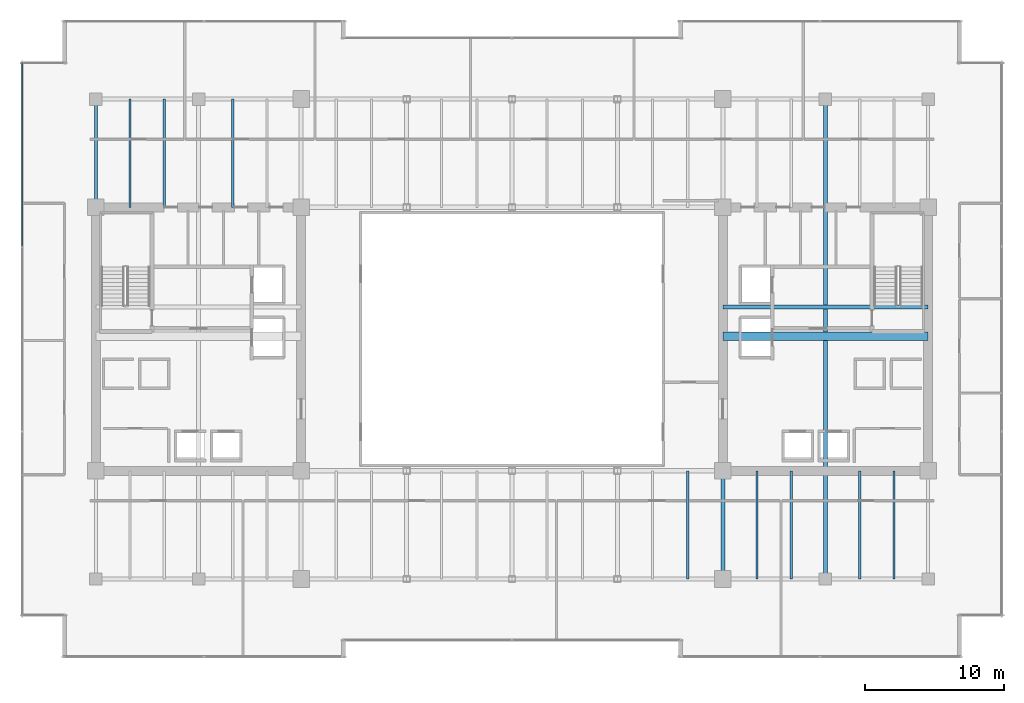
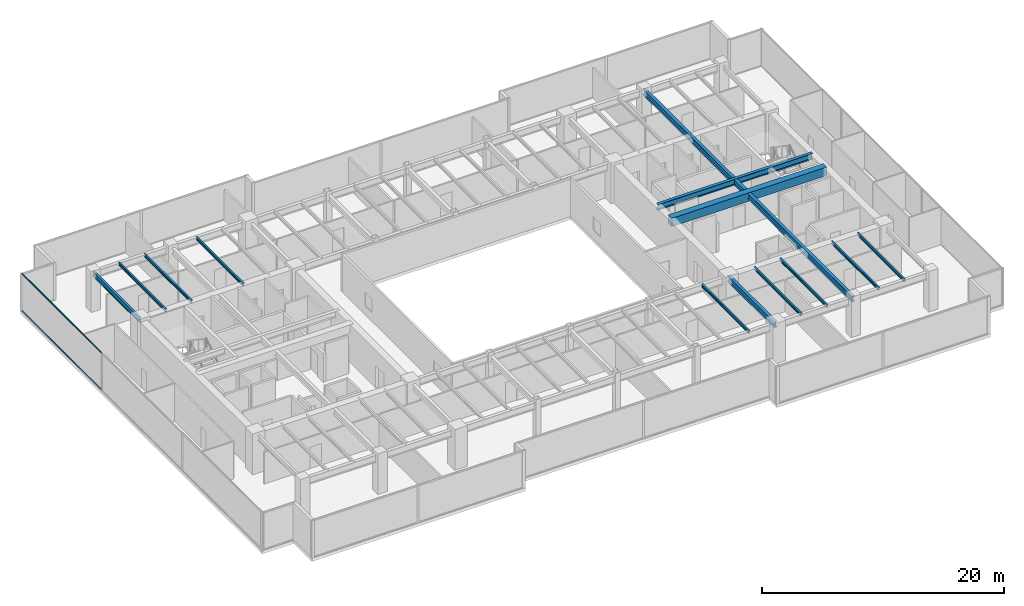
# One storey, part 13 of 30: 13 beams, 2 members, 1 element without a shape of its own.
"""IFC4 building model written with IfcOpenShell, lengths in metres."""

from ifc_helpers import new_model, si_unit, direction, frame, origin, origin_2d, place, context, subcontext, project, spatial, rectangle, hollow_rectangle, i_section, extrude, source, transform, mapped, material, layer, layer_set, material_profile, profile_set, type_object, type_shapes, element, aggregate, save


model = new_model("IFC4")

# Units and contexts
model_context = context("Model", 3, precision=1e-05, world=origin(), true_north=direction((0.0, 1.0)))
body_context = subcontext(model_context, "Body", "Model", "MODEL_VIEW")
ifc_project = project(units=[si_unit("LENGTHUNIT", "METRE"), si_unit("AREAUNIT", "SQUARE_METRE"), si_unit("VOLUMEUNIT", "CUBIC_METRE"), si_unit("PLANEANGLEUNIT", "RADIAN"), si_unit("MASSUNIT", "GRAM", prefix="KILO")], contexts=[model_context])

# Site, building, storey
site_placement = place(None, origin())
site = spatial("IfcSite", under=ifc_project, at=site_placement, CompositionType="ELEMENT")
building_placement = place(site_placement, origin())
building = spatial("IfcBuilding", under=site, at=building_placement, Name="Haelvirn Gate Laboratories", CompositionType="ELEMENT")
storey_placement = place(building_placement, frame((0.0, 0.0, 170.699951171875)))
storey = spatial("IfcBuildingStorey", under=building, at=storey_placement, Name="L41", CompositionType="ELEMENT", Elevation=170.699951171875)

# Beams
ifc_material_1 = material(Name="Steel SM355", Category="steel")
ifc_material_profile_1 = material_profile(ifc_material_1, i_section(OverallWidth=0.300048828125, OverallDepth=0.587890625, WebThickness=0.011962890625, FlangeThickness=0.02001953125, at=origin_2d()), Name="H-588x300x12x20")
ifc_profile_set_1 = profile_set([ifc_material_profile_1], Name="Steel SM355")
beam_type_1 = type_object("IfcBeamType", Name="BM-G-588", PredefinedType="BEAM", material=ifc_profile_set_1)
shared_shape_1 = source(origin(), body_context, "Body", "SweptSolid", [
    extrude(i_section(OverallWidth=0.300048828125, OverallDepth=0.587890625, WebThickness=0.011962890625, FlangeThickness=0.02001953125, at=origin_2d()), origin(), (0.0, 0.0, 1.0), 14.7998046875),
])
beam_1_placement = place(storey_placement, frame((52.60009765625, 26.6201171875, 3.49609375), z_axis=(1.0, 0.0, 0.0), x_axis=(0.0, 1.0, 0.0)))
element("IfcBeam", 1, at=beam_1_placement, inside=storey, type_object=beam_type_1, Name="L41 Stair ST2 Landing Header", PredefinedType="BEAM", context=body_context, shape_type="MappedRepresentation", body=[
    mapped(shared_shape_1, transform((0.0, 0.0, 0.0), scale=1.0)),
])
ifc_material_profile_2 = material_profile(ifc_material_1, i_section(OverallWidth=0.199951171875, OverallDepth=0.5, WebThickness=0.010009765625, FlangeThickness=0.01611328125, at=origin_2d()), Name="H-500x200x10x16")
ifc_profile_set_2 = profile_set([ifc_material_profile_2], Name="Steel SM355")
beam_type_2 = type_object("IfcBeamType", Name="BM-SP-500", PredefinedType="SPANDREL", material=ifc_profile_set_2)
shared_shape_2 = source(origin(), body_context, "Body", "SweptSolid", [
    extrude(i_section(OverallWidth=0.199951171875, OverallDepth=0.5, WebThickness=0.010009765625, FlangeThickness=0.01611328125, at=origin_2d()), origin(), (0.0, 0.0, 1.0), 7.800048828125),
])
type_shapes(beam_type_2, [shared_shape_2])
beam_2_placement = place(storey_placement, frame((7.39990234375, 33.800048828125, 3.5400390625), z_axis=(0.0, 1.0, 0.0), x_axis=(-1.0, 0.0, 0.0)))
element("IfcBeam", 2, at=beam_2_placement, inside=storey, type_object=beam_type_2, Name="L41 Perimeter Spandrel X7.4 (33.8-41.6)", PredefinedType="SPANDREL", context=body_context, shape_type="MappedRepresentation", body=[
    mapped(shared_shape_2, transform((0.0, 0.0, 0.0), scale=1.0)),
])
ifc_material_profile_3 = material_profile(ifc_material_1, i_section(OverallWidth=0.14990234375, OverallDepth=0.300048828125, WebThickness=0.006591796875, FlangeThickness=0.009033203125, at=origin_2d()), Name="H-300x150x6.5x9")
ifc_profile_set_3 = profile_set([ifc_material_profile_3], Name="Steel SM355")
beam_type_3 = type_object("IfcBeamType", Name="BM-J-300", PredefinedType="JOIST", material=ifc_profile_set_3)
shared_shape_3 = source(origin(), body_context, "Body", "SweptSolid", [
    extrude(i_section(OverallWidth=0.14990234375, OverallDepth=0.300048828125, WebThickness=0.006591796875, FlangeThickness=0.009033203125, at=origin_2d()), origin(), (0.0, 0.0, 1.0), 7.800048828125),
])
type_shapes(beam_type_3, [shared_shape_3])
for number, where, z_axis, x_axis, name in (
    (3, (9.8701171875, 33.800048828125, 3.64013671875), (0.0, 1.0, 0.0), (-1.0, 0.0, 0.0), "L41 Composite Lab Joist North X9.87"),
    (4, (12.330078125, 33.800048828125, 3.64013671875), (0.0, 1.0, 0.0), (-1.0, 0.0, 0.0), "L41 Composite Lab Joist North X12.33"),
    (5, (17.27001953125, 33.800048828125, 3.64013671875), (0.0, 1.0, 0.0), (-1.0, 0.0, 0.0), "L41 Composite Lab Joist North X17.27"),
    (6, (50.070068359375, 7.0, 3.64013671875), (0.0, 1.0, 0.0), (-1.0, 0.0, 0.0), "L41 Composite Lab Joist South X50.07"),
    (7, (55.070068359375, 7.0, 3.64013671875), (0.0, 1.0, 0.0), (-1.0, 0.0, 0.0), "L41 Composite Lab Joist South X55.07"),
    (8, (57.530029296875, 7.0, 3.64013671875), (0.0, 1.0, 0.0), (-1.0, 0.0, 0.0), "L41 Composite Lab Joist South X57.53"),
    (9, (62.469970703125, 7.0, 3.64013671875), (0.0, 1.0, 0.0), (-1.0, 0.0, 0.0), "L41 Composite Lab Joist South X62.47"),
    (10, (64.929931640625, 7.0, 3.64013671875), (0.0, 1.0, 0.0), (-1.0, 0.0, 0.0), "L41 Composite Lab Joist South X64.93"),
):
    element("IfcBeam", number, at=place(storey_placement, frame(where, z_axis=z_axis, x_axis=x_axis)), inside=storey, type_object=beam_type_3, Name=name, PredefinedType="JOIST", context=body_context, shape_type="MappedRepresentation", body=[
        mapped(shared_shape_3, transform((0.0, 0.0, 0.0), scale=1.0)),
    ])
shared_shape_4 = source(origin(), body_context, "Body", "SweptSolid", [
    extrude(i_section(OverallWidth=0.300048828125, OverallDepth=0.587890625, WebThickness=0.011962890625, FlangeThickness=0.02001953125, at=origin_2d()), origin(), (0.0, 0.0, 1.0), 34.60009765625),
])
beam_3_placement = place(storey_placement, frame((60.0, 7.0, 3.49609375), z_axis=(0.0, 1.0, 0.0), x_axis=(-1.0, 0.0, 0.0)))
element("IfcBeam", 11, at=beam_3_placement, inside=storey, type_object=beam_type_1, Name="L41 Frame Girder X60.0 (7.0-41.6)", PredefinedType="BEAM", context=body_context, shape_type="MappedRepresentation", body=[
    mapped(shared_shape_4, transform((0.0, 0.0, 0.0), scale=1.0)),
])
shared_shape_5 = source(origin(), body_context, "Body", "SweptSolid", [
    extrude(i_section(OverallWidth=0.300048828125, OverallDepth=0.587890625, WebThickness=0.011962890625, FlangeThickness=0.02001953125, at=origin_2d()), origin(), (0.0, 0.0, 1.0), 7.800048828125),
])
type_shapes(beam_type_1, [shared_shape_1, shared_shape_4, shared_shape_5])
beam_4_placement = place(storey_placement, frame((52.60009765625, 7.0, 3.49609375), z_axis=(0.0, 1.0, 0.0), x_axis=(-1.0, 0.0, 0.0)))
element("IfcBeam", 12, at=beam_4_placement, inside=storey, type_object=beam_type_1, Name="L41 Frame Girder X52.6 (7.0-14.8)", PredefinedType="BEAM", context=body_context, shape_type="MappedRepresentation", body=[
    mapped(shared_shape_5, transform((0.0, 0.0, 0.0), scale=1.0)),
])
ifc_material_2 = material(Name="Concrete C50/60", Category="concrete")
ifc_material_profile_4 = material_profile(ifc_material_2, rectangle(XDim=0.60009765625, YDim=0.85009765625, at=origin_2d()), Name="RCB-600x850")
ifc_profile_set_4 = profile_set([ifc_material_profile_4], Name="Concrete C50/60")
beam_type_4 = type_object("IfcBeamType", Name="BM-RCB-850", PredefinedType="LINTEL", material=ifc_profile_set_4)
shared_shape_6 = source(origin(), body_context, "Body", "SweptSolid", [
    extrude(rectangle(XDim=0.60009765625, YDim=0.85009765625, at=origin_2d()), origin(), (0.0, 0.0, 1.0), 14.7998046875),
])
type_shapes(beam_type_4, [shared_shape_6])
beam_5_placement = place(storey_placement, frame((52.60009765625, 24.5, 3.364990234375), z_axis=(1.0, 0.0, 0.0), x_axis=(0.0, 1.0, 0.0)))
element("IfcBeam", 13, at=beam_5_placement, inside=storey, type_object=beam_type_4, Name="L41 East Core Coupling Beam", PredefinedType="LINTEL", context=body_context, shape_type="MappedRepresentation", body=[
    mapped(shared_shape_6, transform((0.0, 0.0, 0.0), scale=1.0)),
])

# Curtain wall, members
ifc_material_3 = material(Name="Anodised bronze unitised aluminium & triple low-E glass", Category="aluminium")
ifc_layer = layer(ifc_material_3, 0.179931640625, Name="CW-SYS-3")
ifc_layer_set = layer_set([ifc_layer], Name="Anodised bronze unitised aluminium & triple low-E glass")
curtain_wall_type = type_object("IfcCurtainWallType", Name="CW-SYS-3", PredefinedType="NOTDEFINED", material=ifc_layer_set)
curtain_wall_placement = place(storey_placement, origin())
curtain_wall = element("IfcCurtainWall", 14, at=curtain_wall_placement, inside=storey, type_object=curtain_wall_type, Name="L41 Unitised Curtain Wall CW-L41-P0-E17", PredefinedType="NOTDEFINED")
ifc_material_4 = material(Name="Extruded aluminium 6063-T6 (anodised bronze)", Category="aluminium")
ifc_material_profile_5 = material_profile(ifc_material_4, hollow_rectangle(XDim=0.06494140625, YDim=0.139892578125, WallThickness=0.00390625, at=origin_2d()), Name="CWT-140x65x4")
ifc_profile_set_5 = profile_set([ifc_material_profile_5], Name="Extruded aluminium 6063-T6 (anodised bronze)")
member_type = type_object("IfcMemberType", Name="CWT-T140", PredefinedType="USERDEFINED", material=ifc_profile_set_5)
shared_shape_7 = source(origin(), body_context, "Body", "SweptSolid", [
    extrude(hollow_rectangle(XDim=0.06494140625, YDim=0.139892578125, WallThickness=0.00390625, at=origin_2d()), origin(), (0.0, 0.0, 1.0), 13.220947265625),
])
type_shapes(member_type, [shared_shape_7])
member_1_placement = place(storey_placement, frame((2.10009765625, 44.22509765625, 0.032470703125), z_axis=(0.0, -1.0, 0.0), x_axis=(1.0, 0.0, 0.0)))
member_1 = element("IfcMember", 15, at=member_1_placement, type_object=member_type, Name="CW3 transom 1.1", ObjectType="TRANSOM", PredefinedType="USERDEFINED", context=body_context, shape_type="MappedRepresentation", body=[
    mapped(shared_shape_7, transform((0.0, 0.0, 0.0), scale=1.0)),
])
member_2_placement = place(storey_placement, frame((2.10009765625, 44.22509765625, 3.757568359375), z_axis=(0.0, -1.0, 0.0), x_axis=(1.0, 0.0, 0.0)))
member_2 = element("IfcMember", 16, at=member_2_placement, type_object=member_type, Name="CW3 transom 1.2", ObjectType="TRANSOM", PredefinedType="USERDEFINED", context=body_context, shape_type="MappedRepresentation", body=[
    mapped(shared_shape_7, transform((0.0, 0.0, 0.0), scale=1.0)),
])
aggregate(curtain_wall, [member_1, member_2])

save(model, "model.ifc")
